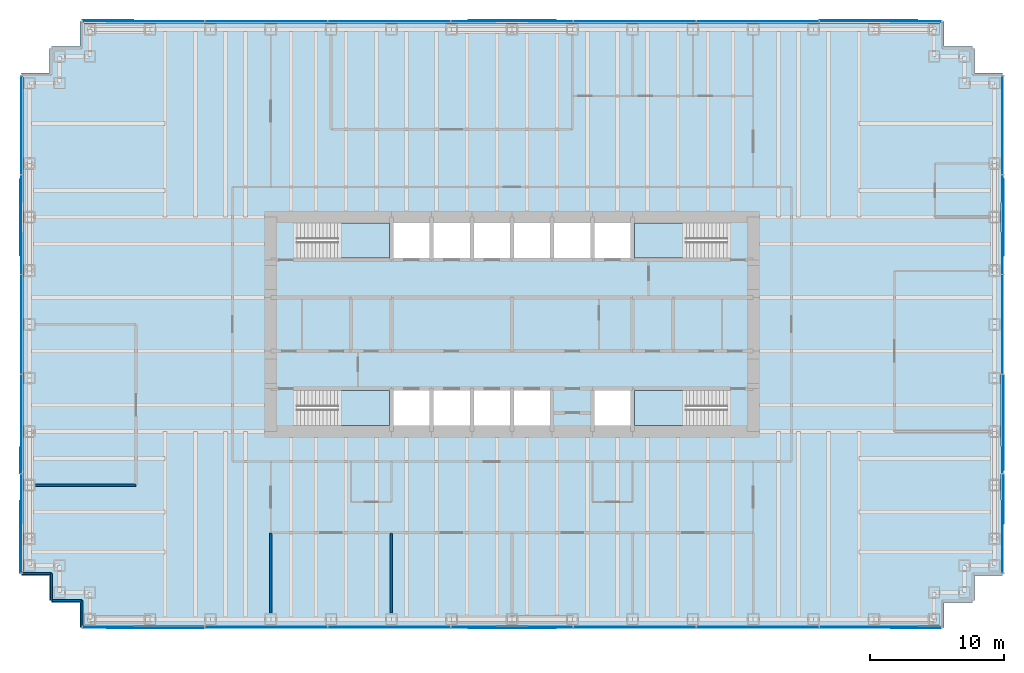
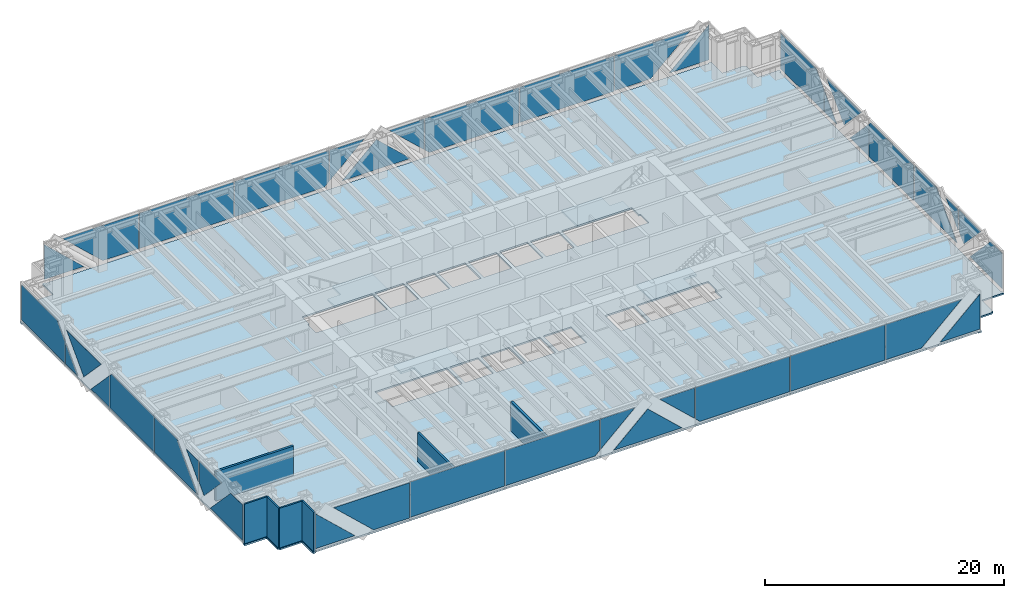
# One storey, part 10 of 15: 40 plates, 7 walls, 5 slabs, 8 elements without a shape of their own.
"""IFC4 building model written with IfcOpenShell, lengths in metres."""

from ifc_helpers import new_model, si_unit, direction, frame, frame_2d, origin, origin_2d, place, context, subcontext, project, spatial, polyline, rectangle, outline, extrude, material, layer, layer_set, type_object, element, aggregate, save


model = new_model("IFC4")

# Units and contexts
model_context = context("Model", 3, precision=1e-05, world=origin(), true_north=direction((0.0, 1.0)))
body_context = subcontext(model_context, "Body", "Model", "MODEL_VIEW")
ifc_project = project(units=[si_unit("LENGTHUNIT", "METRE"), si_unit("AREAUNIT", "SQUARE_METRE"), si_unit("VOLUMEUNIT", "CUBIC_METRE"), si_unit("PLANEANGLEUNIT", "RADIAN"), si_unit("MASSUNIT", "GRAM", prefix="KILO")], contexts=[model_context])

# Site, building, storey
site_placement = place(None, origin())
site = spatial("IfcSite", under=ifc_project, at=site_placement, CompositionType="ELEMENT")
building_placement = place(site_placement, origin())
building = spatial("IfcBuilding", under=site, at=building_placement, Name="Rheinbord Bourse Tower", CompositionType="ELEMENT")
storey_placement = place(building_placement, frame((0.0, 0.0, 150.89990234375)))
storey = spatial("IfcBuildingStorey", under=building, at=storey_placement, Name="L33", CompositionType="ELEMENT", Elevation=150.89990234375)

# Slab
ifc_material_1 = material(Name="Concrete C30/37", Category="concrete")
ifc_layer_1 = layer(ifc_material_1, 0.159912109375)
ifc_layer_set_1 = layer_set([ifc_layer_1], Name="COMPOSITE FLOOR SLAB 160")
slab_type_1 = type_object("IfcSlabType", Name="COMPOSITE FLOOR SLAB 160", PredefinedType="FLOOR", material=ifc_layer_set_1)
slab_1_placement = place(storey_placement, frame((0.0, 0.0, -0.159912109375)))
element("IfcSlab", 1, at=slab_1_placement, inside=storey, type_object=slab_type_1, Name="Floor slab L33", PredefinedType="FLOOR", context=body_context, shape_type="SweptSolid", body=[
    extrude(outline(polyline([(1.64990234375, 3.39990234375), (1.5, 3.39990234375), (1.5, 5.25), (-0.60009765625, 5.25), (-0.60009765625, 5.550048828125), (-0.5, 5.550048828125), (-0.5, 42.449951171875), (-0.60009765625, 42.449951171875), (-0.60009765625, 42.75), (1.5, 42.75), (1.5, 44.60009765625), (1.64990234375, 44.60009765625), (1.64990234375, 44.75), (3.75, 44.75), (3.75, 46.60009765625), (4.050048828125, 46.60009765625), (4.050048828125, 46.5), (67.949951171875, 46.5), (67.949951171875, 46.60009765625), (68.25, 46.60009765625), (68.25, 44.75), (70.35009765625, 44.75), (70.35009765625, 44.60009765625), (70.5, 44.60009765625), (70.5, 42.75), (72.60009765625, 42.75), (72.60009765625, 42.449951171875), (72.5, 42.449951171875), (72.5, 5.550048828125), (72.60009765625, 5.550048828125), (72.60009765625, 5.25), (70.5, 5.25), (70.5, 3.39990234375), (70.35009765625, 3.39990234375), (70.35009765625, 3.25), (68.25, 3.25), (68.25, 1.39990234375), (67.949951171875, 1.39990234375), (67.949951171875, 1.5), (4.050048828125, 1.5), (4.050048828125, 1.39990234375), (3.75, 1.39990234375), (3.75, 3.25), (1.64990234375, 3.25), (1.64990234375, 3.39990234375)]), holes=[polyline([(19.949951171875, 19.050048828125), (26.85009765625, 19.050048828125), (26.85009765625, 16.449951171875), (20.10009765625, 16.449951171875), (20.10009765625, 17.64990234375), (19.949951171875, 17.64990234375), (19.949951171875, 19.050048828125)]), polyline([(26.85009765625, 31.550048828125), (26.85009765625, 28.949951171875), (19.949951171875, 28.949951171875), (19.949951171875, 30.35009765625), (20.10009765625, 30.35009765625), (20.10009765625, 31.550048828125), (26.85009765625, 31.550048828125)]), polyline([(45.14990234375, 16.449951171875), (45.14990234375, 19.050048828125), (52.050048828125, 19.050048828125), (52.050048828125, 17.64990234375), (51.89990234375, 17.64990234375), (51.89990234375, 16.449951171875), (45.14990234375, 16.449951171875)]), polyline([(52.050048828125, 28.949951171875), (45.14990234375, 28.949951171875), (45.14990234375, 31.550048828125), (51.89990234375, 31.550048828125), (51.89990234375, 30.35009765625), (52.050048828125, 30.35009765625), (52.050048828125, 28.949951171875)]), polyline([(27.14990234375, 16.449951171875), (27.14990234375, 19.050048828125), (29.85009765625, 19.050048828125), (29.85009765625, 16.449951171875), (27.14990234375, 16.449951171875)]), polyline([(27.14990234375, 28.949951171875), (27.14990234375, 31.550048828125), (29.85009765625, 31.550048828125), (29.85009765625, 28.949951171875), (27.14990234375, 28.949951171875)]), polyline([(30.14990234375, 16.449951171875), (30.14990234375, 19.050048828125), (32.85009765625, 19.050048828125), (32.85009765625, 16.449951171875), (30.14990234375, 16.449951171875)]), polyline([(30.14990234375, 28.949951171875), (30.14990234375, 31.550048828125), (32.85009765625, 31.550048828125), (32.85009765625, 28.949951171875), (30.14990234375, 28.949951171875)]), polyline([(33.14990234375, 16.449951171875), (33.14990234375, 19.050048828125), (35.85009765625, 19.050048828125), (35.85009765625, 16.449951171875), (33.14990234375, 16.449951171875)]), polyline([(33.14990234375, 28.949951171875), (33.14990234375, 31.550048828125), (35.85009765625, 31.550048828125), (35.85009765625, 28.949951171875), (33.14990234375, 28.949951171875)]), polyline([(36.14990234375, 16.449951171875), (36.14990234375, 19.050048828125), (38.85009765625, 19.050048828125), (38.85009765625, 16.449951171875), (36.14990234375, 16.449951171875)]), polyline([(36.14990234375, 28.949951171875), (36.14990234375, 31.550048828125), (38.85009765625, 31.550048828125), (38.85009765625, 28.949951171875), (36.14990234375, 28.949951171875)]), polyline([(39.14990234375, 28.949951171875), (39.14990234375, 31.550048828125), (41.85009765625, 31.550048828125), (41.85009765625, 28.949951171875), (39.14990234375, 28.949951171875)]), polyline([(42.14990234375, 16.449951171875), (42.14990234375, 19.050048828125), (44.85009765625, 19.050048828125), (44.85009765625, 16.449951171875), (42.14990234375, 16.449951171875)]), polyline([(42.14990234375, 28.949951171875), (42.14990234375, 31.550048828125), (44.85009765625, 31.550048828125), (44.85009765625, 28.949951171875), (42.14990234375, 28.949951171875)])]), origin(), (0.0, 0.0, 1.0), 0.159912109375),
])

# Curtain wall, plates
ifc_material_2 = material(Name="Dark glass and black aluminium", Category="aluminium")
curtain_wall_type = type_object("IfcCurtainWallType", Name="CW2 DARK GLASS CURTAIN WALL", PredefinedType="USERDEFINED", material=ifc_material_2)
curtain_wall_1_placement = place(storey_placement, origin())
curtain_wall_1 = element("IfcCurtainWall", 2, at=curtain_wall_1_placement, inside=storey, type_object=curtain_wall_type, Name="Curtain wall CW2 S L33", ObjectType="UNITISED CURTAIN WALL", PredefinedType="USERDEFINED")
ifc_material_3 = material(Name="Dark tinted triple insulating glass", Category="glass")
ifc_layer_2 = layer(ifc_material_3, 0.050048828125)
ifc_layer_set_2 = layer_set([ifc_layer_2], Name="CW2 DARK GLASS PANEL")
plate_type = type_object("IfcPlateType", Name="CW2 DARK GLASS PANEL", PredefinedType="CURTAIN_PANEL", material=ifc_layer_set_2)
plate_1_placement = place(storey_placement, frame((17.6572265625, 1.39990234375, 0.300048828125), z_axis=(0.0, 0.0, 1.0), x_axis=(1.0, 0.0, 0.0)))
plate_1 = element("IfcPlate", 3, at=plate_1_placement, type_object=plate_type, Name="CW2 panel 2.1", PredefinedType="CURTAIN_PANEL", context=body_context, shape_type="SweptSolid", body=[
    extrude(rectangle(XDim=9.101318359375, YDim=0.050048828125, at=origin_2d()), origin(), (0.0, 0.0, 1.0), 3.60009765625),
])
plate_2_placement = place(storey_placement, frame((54.3427734375, 1.39990234375, 0.300048828125), z_axis=(0.0, 0.0, 1.0), x_axis=(1.0, 0.0, 0.0)))
plate_2 = element("IfcPlate", 4, at=plate_2_placement, type_object=plate_type, Name="CW2 panel 6.1", PredefinedType="CURTAIN_PANEL", context=body_context, shape_type="SweptSolid", body=[
    extrude(rectangle(XDim=9.101318359375, YDim=0.050048828125, at=origin_2d()), origin(), (0.0, 0.0, 1.0), 3.60009765625),
])
plate_3_placement = place(storey_placement, frame((3.969970703125, 1.375, 0.300048828125), z_axis=(0.0, 1.0, 0.0), x_axis=(0.0, 0.0, 1.0)))
plate_3 = element("IfcPlate", 5, at=plate_3_placement, type_object=plate_type, Name="CW2 glass facet 1", PredefinedType="CURTAIN_PANEL", context=body_context, shape_type="SweptSolid", body=[
    extrude(outline(polyline([(0.0, 0.0), (3.567138671875, 0.0), (0.0, 3.822021484375), (0.0, 0.0)])), origin(), (0.0, 0.0, 1.0), 0.050048828125),
])
plate_4_placement = place(storey_placement, frame((13.035888671875, 1.31982421875, 3.900146484375), z_axis=(0.0, 1.0, 0.0), x_axis=(0.0, 0.0, -1.0)))
plate_4 = element("IfcPlate", 6, at=plate_4_placement, type_object=plate_type, Name="CW2 glass facet 2", PredefinedType="CURTAIN_PANEL", context=body_context, shape_type="SweptSolid", body=[
    extrude(outline(polyline([(0.0, 0.0), (3.60009765625, 0.0), (3.60009765625, 3.470947265625), (0.0, 7.327880859375), (0.0, 0.0)])), origin(), (0.0, 0.0, 1.0), 0.050048828125),
])
plate_5_placement = place(storey_placement, frame((22.278076171875, 1.375, 0.300048828125), z_axis=(0.0, 1.0, 0.0), x_axis=(0.0, 0.0, 1.0)))
plate_5 = element("IfcPlate", 7, at=plate_5_placement, type_object=plate_type, Name="CW2 glass facet 1", PredefinedType="CURTAIN_PANEL", context=body_context, shape_type="SweptSolid", body=[
    extrude(outline(polyline([(0.0, 0.0), (3.60009765625, 0.0), (3.60009765625, 9.100830078125), (0.4150390625, 9.100830078125), (0.0, 8.656982421875), (0.0, 0.0)])), origin(), (0.0, 0.0, 1.0), 0.050048828125),
])
plate_6_placement = place(storey_placement, frame((31.448974609375, 1.375, 3.900146484375), z_axis=(0.0, 1.0, 0.0), x_axis=(1.0, 0.0, 0.0)))
plate_6 = element("IfcPlate", 8, at=plate_6_placement, type_object=plate_type, Name="CW2 glass facet 1", PredefinedType="CURTAIN_PANEL", context=body_context, shape_type="SweptSolid", body=[
    extrude(outline(polyline([(0.0, 0.0), (3.343017578125, 0.0), (0.0, 3.1201171875), (0.0, 0.0)])), origin(), (0.0, 0.0, 1.0), 0.050048828125),
])
plate_7_placement = place(storey_placement, frame((32.7080078125, 1.31982421875, 0.300048828125), z_axis=(0.0, 1.0, 0.0), x_axis=(0.731111160705, 0.0, 0.682258360661)))
plate_7 = element("IfcPlate", 9, at=plate_7_placement, type_object=plate_type, Name="CW2 glass facet 2", PredefinedType="CURTAIN_PANEL", context=body_context, shape_type="SweptSolid", body=[
    extrude(outline(polyline([(0.0, 0.0), (4.502685546875, 0.0), (4.813720703125, 4.491943359375), (0.0, 0.0)])), origin(), (0.0, 0.0, 1.0), 0.050048828125),
])
plate_8_placement = place(storey_placement, frame((40.551025390625, 1.375, 3.900146484375), z_axis=(0.0, 1.0, 0.0), x_axis=(0.0, 0.0, -1.0)))
plate_8 = element("IfcPlate", 10, at=plate_8_placement, type_object=plate_type, Name="CW2 glass facet 3", PredefinedType="CURTAIN_PANEL", context=body_context, shape_type="SweptSolid", body=[
    extrude(outline(polyline([(0.0, 0.0), (3.1201171875, 0.0), (0.0, 3.343017578125), (0.0, 0.0)])), origin(), (0.0, 0.0, 1.0), 0.050048828125),
])
plate_9_placement = place(storey_placement, frame((40.62109375, 1.375, 3.900146484375), z_axis=(0.0, 1.0, 0.0), x_axis=(1.0, 0.0, 0.0)))
plate_9 = element("IfcPlate", 11, at=plate_9_placement, type_object=plate_type, Name="CW2 glass facet 1", PredefinedType="CURTAIN_PANEL", context=body_context, shape_type="SweptSolid", body=[
    extrude(outline(polyline([(0.0, 0.0), (9.100830078125, 0.0), (9.100830078125, 3.60009765625), (0.44384765625, 3.60009765625), (0.0, 3.18505859375), (0.0, 0.0)])), origin(), (0.0, 0.0, 1.0), 0.050048828125),
])
plate_10_placement = place(storey_placement, frame((58.964111328125, 1.375, 0.300048828125), z_axis=(0.0, 1.0, 0.0), x_axis=(0.0, 0.0, 1.0)))
plate_10 = element("IfcPlate", 12, at=plate_10_placement, type_object=plate_type, Name="CW2 glass facet 1", PredefinedType="CURTAIN_PANEL", context=body_context, shape_type="SweptSolid", body=[
    extrude(outline(polyline([(0.0, 0.0), (3.60009765625, 0.0), (3.60009765625, 7.327880859375), (0.0, 3.470947265625), (0.0, 0.0)])), origin(), (0.0, 0.0, 1.0), 0.050048828125),
])
plate_11_placement = place(storey_placement, frame((68.030029296875, 1.31982421875, 0.300048828125), z_axis=(0.0, 1.0, 0.0), x_axis=(-1.0, 0.0, 0.0)))
plate_11 = element("IfcPlate", 13, at=plate_11_placement, type_object=plate_type, Name="CW2 glass facet 2", PredefinedType="CURTAIN_PANEL", context=body_context, shape_type="SweptSolid", body=[
    extrude(outline(polyline([(0.0, 0.0), (3.822021484375, 0.0), (0.0, 3.567138671875), (0.0, 0.0)])), origin(), (0.0, 0.0, 1.0), 0.050048828125),
])
aggregate(curtain_wall_1, [plate_1, plate_2, plate_3, plate_4, plate_5, plate_6, plate_7, plate_8, plate_9, plate_10, plate_11])

curtain_wall_2_placement = place(storey_placement, origin())
curtain_wall_2 = element("IfcCurtainWall", 14, at=curtain_wall_2_placement, inside=storey, type_object=curtain_wall_type, Name="Curtain wall CW2 E L33", ObjectType="UNITISED CURTAIN WALL", PredefinedType="USERDEFINED")
plate_12_placement = place(storey_placement, frame((72.625, 5.469970703125, 0.300048828125), z_axis=(-1.0, 0.0, 0.0), x_axis=(0.0, 0.0, 1.0)))
plate_12 = element("IfcPlate", 15, at=plate_12_placement, type_object=plate_type, Name="CW2 glass facet 1", PredefinedType="CURTAIN_PANEL", context=body_context, shape_type="SweptSolid", body=[
    extrude(outline(polyline([(0.0, 0.0), (3.60009765625, 0.0), (3.60009765625, 1.97998046875), (0.0, 5.408935546875), (0.0, 0.0)])), origin(), (0.0, 0.0, 1.0), 0.050048828125),
])
plate_13_placement = place(storey_placement, frame((72.68017578125, 12.804931640625, 3.900146484375), z_axis=(-1.0, 0.0, 0.0), x_axis=(0.0, 0.0, -1.0)))
plate_13 = element("IfcPlate", 16, at=plate_13_placement, type_object=plate_type, Name="CW2 glass facet 2", PredefinedType="CURTAIN_PANEL", context=body_context, shape_type="SweptSolid", body=[
    extrude(outline(polyline([(0.0, 0.0), (2.177001953125, 0.0), (3.02294921875, 0.804931640625), (0.0, 3.683837890625), (0.0, 0.0)])), origin(), (0.0, 0.0, 1.0), 0.050048828125),
])
plate_14_placement = place(storey_placement, frame((72.625, 12.875, 3.900146484375), z_axis=(-1.0, 0.0, 0.0), x_axis=(0.0, 1.0, 0.0)))
plate_14 = element("IfcPlate", 17, at=plate_14_placement, type_object=plate_type, Name="CW2 glass facet 1", PredefinedType="CURTAIN_PANEL", context=body_context, shape_type="SweptSolid", body=[
    extrude(outline(polyline([(0.0, 0.0), (2.00390625, 0.0), (0.0, 2.10400390625), (0.0, 0.0)])), origin(), (0.0, 0.0, 1.0), 0.050048828125),
])
plate_15_placement = place(storey_placement, frame((72.68017578125, 20.2451171875, 3.900146484375), z_axis=(-1.0, 0.0, 0.0), x_axis=(0.0, 0.0, -1.0)))
plate_15 = element("IfcPlate", 18, at=plate_15_placement, type_object=plate_type, Name="CW2 glass facet 2", PredefinedType="CURTAIN_PANEL", context=body_context, shape_type="SweptSolid", body=[
    extrude(outline(polyline([(0.0, 0.0), (3.60009765625, 0.0), (3.60009765625, 7.1240234375), (0.0, 3.695068359375), (0.0, 0.0)])), origin(), (0.0, 0.0, 1.0), 0.050048828125),
])
plate_16_placement = place(storey_placement, frame((72.625, 27.68505859375, 0.300048828125), z_axis=(-1.0, 0.0, 0.0), x_axis=(0.0, -1.0, 0.0)))
plate_16 = element("IfcPlate", 19, at=plate_16_placement, type_object=plate_type, Name="CW2 glass facet 1", PredefinedType="CURTAIN_PANEL", context=body_context, shape_type="SweptSolid", body=[
    extrude(outline(polyline([(0.0, 0.0), (7.3701171875, 0.0), (7.3701171875, 3.60009765625), (0.235107421875, 3.60009765625), (0.0, 3.35302734375), (0.0, 0.0)])), origin(), (0.0, 0.0, 1.0), 0.050048828125),
])
plate_17_placement = place(storey_placement, frame((72.625, 27.7548828125, 0.300048828125), z_axis=(-1.0, 0.0, 0.0), x_axis=(0.0, 0.0, 1.0)))
plate_17 = element("IfcPlate", 20, at=plate_17_placement, type_object=plate_type, Name="CW2 glass facet 1", PredefinedType="CURTAIN_PANEL", context=body_context, shape_type="SweptSolid", body=[
    extrude(outline(polyline([(0.0, 0.0), (3.280029296875, 0.0), (0.0, 3.1240234375), (0.0, 0.0)])), origin(), (0.0, 0.0, 1.0), 0.050048828125),
])
plate_18_placement = place(storey_placement, frame((72.68017578125, 34.87890625, 3.900146484375), z_axis=(-1.0, 0.0, 0.0), x_axis=(0.0, -0.68964348943, -0.724149057506)))
plate_18 = element("IfcPlate", 21, at=plate_18_placement, type_object=plate_type, Name="CW2 glass facet 2", PredefinedType="CURTAIN_PANEL", context=body_context, shape_type="SweptSolid", body=[
    extrude(outline(polyline([(0.0, 0.0), (4.174560546875, 0.0), (3.970947265625, 4.16943359375), (0.0, 0.0)])), origin(), (0.0, 0.0, 1.0), 0.050048828125),
])
plate_19_placement = place(storey_placement, frame((72.625, 35.125, 0.300048828125), z_axis=(-1.0, 0.0, 0.0), x_axis=(0.0, -1.0, 0.0)))
plate_19 = element("IfcPlate", 22, at=plate_19_placement, type_object=plate_type, Name="CW2 glass facet 3", PredefinedType="CURTAIN_PANEL", context=body_context, shape_type="SweptSolid", body=[
    extrude(outline(polyline([(0.0, 0.0), (2.00390625, 0.0), (0.0, 2.10400390625), (0.0, 0.0)])), origin(), (0.0, 0.0, 1.0), 0.050048828125),
])
plate_20_placement = place(storey_placement, frame((72.625, 42.530029296875, 3.900146484375), z_axis=(-1.0, 0.0, 0.0), x_axis=(0.0, 0.0, -1.0)))
plate_20 = element("IfcPlate", 23, at=plate_20_placement, type_object=plate_type, Name="CW2 glass facet 1", PredefinedType="CURTAIN_PANEL", context=body_context, shape_type="SweptSolid", body=[
    extrude(outline(polyline([(0.0, 0.0), (3.60009765625, 0.0), (3.60009765625, 7.3349609375), (1.423095703125, 7.3349609375), (0.0, 5.97998046875), (0.0, 0.0)])), origin(), (0.0, 0.0, 1.0), 0.050048828125),
])
aggregate(curtain_wall_2, [plate_12, plate_13, plate_14, plate_15, plate_16, plate_17, plate_18, plate_19, plate_20])

curtain_wall_3_placement = place(storey_placement, origin())
curtain_wall_3 = element("IfcCurtainWall", 24, at=curtain_wall_3_placement, inside=storey, type_object=curtain_wall_type, Name="Curtain wall CW2 N L33", ObjectType="UNITISED CURTAIN WALL", PredefinedType="USERDEFINED")
plate_21_placement = place(storey_placement, frame((54.3427734375, 46.60009765625, 0.300048828125), z_axis=(0.0, 0.0, 1.0), x_axis=(-1.0, 0.0, 0.0)))
plate_21 = element("IfcPlate", 25, at=plate_21_placement, type_object=plate_type, Name="CW2 panel 2.1", PredefinedType="CURTAIN_PANEL", context=body_context, shape_type="SweptSolid", body=[
    extrude(rectangle(XDim=9.101318359375, YDim=0.050048828125, at=origin_2d()), origin(), (0.0, 0.0, 1.0), 3.60009765625),
])
plate_22_placement = place(storey_placement, frame((17.6572265625, 46.60009765625, 0.300048828125), z_axis=(0.0, 0.0, 1.0), x_axis=(-1.0, 0.0, 0.0)))
plate_22 = element("IfcPlate", 26, at=plate_22_placement, type_object=plate_type, Name="CW2 panel 6.1", PredefinedType="CURTAIN_PANEL", context=body_context, shape_type="SweptSolid", body=[
    extrude(rectangle(XDim=9.101318359375, YDim=0.050048828125, at=origin_2d()), origin(), (0.0, 0.0, 1.0), 3.60009765625),
])
plate_23_placement = place(storey_placement, frame((68.030029296875, 46.625, 0.300048828125), z_axis=(0.0, -1.0, 0.0), x_axis=(0.0, 0.0, 1.0)))
plate_23 = element("IfcPlate", 27, at=plate_23_placement, type_object=plate_type, Name="CW2 glass facet 1", PredefinedType="CURTAIN_PANEL", context=body_context, shape_type="SweptSolid", body=[
    extrude(outline(polyline([(0.0, 0.0), (3.567138671875, 0.0), (0.0, 3.822021484375), (0.0, 0.0)])), origin(), (0.0, 0.0, 1.0), 0.050048828125),
])
plate_24_placement = place(storey_placement, frame((58.964111328125, 46.68017578125, 3.900146484375), z_axis=(0.0, -1.0, 0.0), x_axis=(0.0, 0.0, -1.0)))
plate_24 = element("IfcPlate", 28, at=plate_24_placement, type_object=plate_type, Name="CW2 glass facet 2", PredefinedType="CURTAIN_PANEL", context=body_context, shape_type="SweptSolid", body=[
    extrude(outline(polyline([(0.0, 0.0), (3.60009765625, 0.0), (3.60009765625, 3.470947265625), (0.0, 7.327880859375), (0.0, 0.0)])), origin(), (0.0, 0.0, 1.0), 0.050048828125),
])
plate_25_placement = place(storey_placement, frame((49.721923828125, 46.625, 0.300048828125), z_axis=(0.0, -1.0, 0.0), x_axis=(0.0, 0.0, 1.0)))
plate_25 = element("IfcPlate", 29, at=plate_25_placement, type_object=plate_type, Name="CW2 glass facet 1", PredefinedType="CURTAIN_PANEL", context=body_context, shape_type="SweptSolid", body=[
    extrude(outline(polyline([(0.0, 0.0), (3.60009765625, 0.0), (3.60009765625, 9.100830078125), (0.4150390625, 9.100830078125), (0.0, 8.656982421875), (0.0, 0.0)])), origin(), (0.0, 0.0, 1.0), 0.050048828125),
])
plate_26_placement = place(storey_placement, frame((40.551025390625, 46.625, 3.900146484375), z_axis=(0.0, -1.0, 0.0), x_axis=(-1.0, 0.0, 0.0)))
plate_26 = element("IfcPlate", 30, at=plate_26_placement, type_object=plate_type, Name="CW2 glass facet 1", PredefinedType="CURTAIN_PANEL", context=body_context, shape_type="SweptSolid", body=[
    extrude(outline(polyline([(0.0, 0.0), (3.343017578125, 0.0), (0.0, 3.1201171875), (0.0, 0.0)])), origin(), (0.0, 0.0, 1.0), 0.050048828125),
])
plate_27_placement = place(storey_placement, frame((39.2919921875, 46.68017578125, 0.300048828125), z_axis=(0.0, -1.0, 0.0), x_axis=(-0.731111160705, 0.0, 0.682258360661)))
plate_27 = element("IfcPlate", 31, at=plate_27_placement, type_object=plate_type, Name="CW2 glass facet 2", PredefinedType="CURTAIN_PANEL", context=body_context, shape_type="SweptSolid", body=[
    extrude(outline(polyline([(0.0, 0.0), (4.502685546875, 0.0), (4.813720703125, 4.491943359375), (0.0, 0.0)])), origin(), (0.0, 0.0, 1.0), 0.050048828125),
])
plate_28_placement = place(storey_placement, frame((31.448974609375, 46.625, 3.900146484375), z_axis=(0.0, -1.0, 0.0), x_axis=(0.0, 0.0, -1.0)))
plate_28 = element("IfcPlate", 32, at=plate_28_placement, type_object=plate_type, Name="CW2 glass facet 3", PredefinedType="CURTAIN_PANEL", context=body_context, shape_type="SweptSolid", body=[
    extrude(outline(polyline([(0.0, 0.0), (3.1201171875, 0.0), (0.0, 3.343017578125), (0.0, 0.0)])), origin(), (0.0, 0.0, 1.0), 0.050048828125),
])
plate_29_placement = place(storey_placement, frame((31.37890625, 46.625, 3.900146484375), z_axis=(0.0, -1.0, 0.0), x_axis=(-1.0, 0.0, 0.0)))
plate_29 = element("IfcPlate", 33, at=plate_29_placement, type_object=plate_type, Name="CW2 glass facet 1", PredefinedType="CURTAIN_PANEL", context=body_context, shape_type="SweptSolid", body=[
    extrude(outline(polyline([(0.0, 0.0), (9.100830078125, 0.0), (9.100830078125, 3.60009765625), (0.44384765625, 3.60009765625), (0.0, 3.18505859375), (0.0, 0.0)])), origin(), (0.0, 0.0, 1.0), 0.050048828125),
])
plate_30_placement = place(storey_placement, frame((13.035888671875, 46.625, 0.300048828125), z_axis=(0.0, -1.0, 0.0), x_axis=(0.0, 0.0, 1.0)))
plate_30 = element("IfcPlate", 34, at=plate_30_placement, type_object=plate_type, Name="CW2 glass facet 1", PredefinedType="CURTAIN_PANEL", context=body_context, shape_type="SweptSolid", body=[
    extrude(outline(polyline([(0.0, 0.0), (3.60009765625, 0.0), (3.60009765625, 7.327880859375), (0.0, 3.470947265625), (0.0, 0.0)])), origin(), (0.0, 0.0, 1.0), 0.050048828125),
])
plate_31_placement = place(storey_placement, frame((3.969970703125, 46.68017578125, 0.300048828125), z_axis=(0.0, -1.0, 0.0), x_axis=(1.0, 0.0, 0.0)))
plate_31 = element("IfcPlate", 35, at=plate_31_placement, type_object=plate_type, Name="CW2 glass facet 2", PredefinedType="CURTAIN_PANEL", context=body_context, shape_type="SweptSolid", body=[
    extrude(outline(polyline([(0.0, 0.0), (3.822021484375, 0.0), (0.0, 3.567138671875), (0.0, 0.0)])), origin(), (0.0, 0.0, 1.0), 0.050048828125),
])
aggregate(curtain_wall_3, [plate_21, plate_22, plate_23, plate_24, plate_25, plate_26, plate_27, plate_28, plate_29, plate_30, plate_31])

curtain_wall_4_placement = place(storey_placement, origin())
curtain_wall_4 = element("IfcCurtainWall", 36, at=curtain_wall_4_placement, inside=storey, type_object=curtain_wall_type, Name="Curtain wall CW2 W L33", ObjectType="UNITISED CURTAIN WALL", PredefinedType="USERDEFINED")
plate_32_placement = place(storey_placement, frame((-0.625, 35.195068359375, 0.300048828125), z_axis=(1.0, 0.0, 0.0), x_axis=(0.0, 1.0, 0.0)))
plate_32 = element("IfcPlate", 37, at=plate_32_placement, type_object=plate_type, Name="CW2 glass facet 1", PredefinedType="CURTAIN_PANEL", context=body_context, shape_type="SweptSolid", body=[
    extrude(outline(polyline([(0.0, 0.0), (7.3349609375, 0.0), (7.3349609375, 3.60009765625), (1.35498046875, 3.60009765625), (0.0, 2.177001953125), (0.0, 0.0)])), origin(), (0.0, 0.0, 1.0), 0.050048828125),
])
plate_33_placement = place(storey_placement, frame((-0.625, 35.125, 0.300048828125), z_axis=(1.0, 0.0, 0.0), x_axis=(0.0, 0.0, 1.0)))
plate_33 = element("IfcPlate", 38, at=plate_33_placement, type_object=plate_type, Name="CW2 glass facet 1", PredefinedType="CURTAIN_PANEL", context=body_context, shape_type="SweptSolid", body=[
    extrude(outline(polyline([(0.0, 0.0), (2.10400390625, 0.0), (0.0, 2.00390625), (0.0, 0.0)])), origin(), (0.0, 0.0, 1.0), 0.050048828125),
])
plate_34_placement = place(storey_placement, frame((-0.68017578125, 29.12109375, 3.900146484375), z_axis=(1.0, 0.0, 0.0), x_axis=(0.0, 0.68964348943, -0.724149057506)))
plate_34 = element("IfcPlate", 39, at=plate_34_placement, type_object=plate_type, Name="CW2 glass facet 2", PredefinedType="CURTAIN_PANEL", context=body_context, shape_type="SweptSolid", body=[
    extrude(outline(polyline([(0.0, 0.0), (4.174560546875, 0.0), (3.970947265625, 4.16943359375), (0.0, 0.0)])), origin(), (0.0, 0.0, 1.0), 0.050048828125),
])
plate_35_placement = place(storey_placement, frame((-0.625, 27.7548828125, 0.300048828125), z_axis=(1.0, 0.0, 0.0), x_axis=(0.0, 1.0, 0.0)))
plate_35 = element("IfcPlate", 40, at=plate_35_placement, type_object=plate_type, Name="CW2 glass facet 3", PredefinedType="CURTAIN_PANEL", context=body_context, shape_type="SweptSolid", body=[
    extrude(outline(polyline([(0.0, 0.0), (3.1240234375, 0.0), (0.0, 3.280029296875), (0.0, 0.0)])), origin(), (0.0, 0.0, 1.0), 0.050048828125),
])
plate_36_placement = place(storey_placement, frame((-0.625, 20.31494140625, 3.900146484375), z_axis=(1.0, 0.0, 0.0), x_axis=(0.0, 0.0, -1.0)))
plate_36 = element("IfcPlate", 41, at=plate_36_placement, type_object=plate_type, Name="CW2 glass facet 1", PredefinedType="CURTAIN_PANEL", context=body_context, shape_type="SweptSolid", body=[
    extrude(outline(polyline([(0.0, 0.0), (3.60009765625, 0.0), (3.60009765625, 7.3701171875), (0.2470703125, 7.3701171875), (0.0, 7.135009765625), (0.0, 0.0)])), origin(), (0.0, 0.0, 1.0), 0.050048828125),
])
plate_37_placement = place(storey_placement, frame((-0.625, 20.2451171875, 0.300048828125), z_axis=(1.0, 0.0, 0.0), x_axis=(0.0, 0.0, 1.0)))
plate_37 = element("IfcPlate", 42, at=plate_37_placement, type_object=plate_type, Name="CW2 glass facet 1", PredefinedType="CURTAIN_PANEL", context=body_context, shape_type="SweptSolid", body=[
    extrude(outline(polyline([(0.0, 0.0), (3.60009765625, 0.0), (3.60009765625, 3.695068359375), (0.0, 7.1240234375), (0.0, 0.0)])), origin(), (0.0, 0.0, 1.0), 0.050048828125),
])
plate_38_placement = place(storey_placement, frame((-0.68017578125, 12.875, 3.900146484375), z_axis=(1.0, 0.0, 0.0), x_axis=(0.0, 0.0, -1.0)))
plate_38 = element("IfcPlate", 43, at=plate_38_placement, type_object=plate_type, Name="CW2 glass facet 2", PredefinedType="CURTAIN_PANEL", context=body_context, shape_type="SweptSolid", body=[
    extrude(outline(polyline([(0.0, 0.0), (2.10400390625, 0.0), (0.0, 2.00390625), (0.0, 0.0)])), origin(), (0.0, 0.0, 1.0), 0.050048828125),
])
plate_39_placement = place(storey_placement, frame((-0.625, 12.804931640625, 3.900146484375), z_axis=(1.0, 0.0, 0.0), x_axis=(0.0, -1.0, 0.0)))
plate_39 = element("IfcPlate", 44, at=plate_39_placement, type_object=plate_type, Name="CW2 glass facet 1", PredefinedType="CURTAIN_PANEL", context=body_context, shape_type="SweptSolid", body=[
    extrude(outline(polyline([(0.0, 0.0), (3.683837890625, 0.0), (0.804931640625, 3.02294921875), (0.0, 2.177001953125), (0.0, 0.0)])), origin(), (0.0, 0.0, 1.0), 0.050048828125),
])
plate_40_placement = place(storey_placement, frame((-0.68017578125, 5.469970703125, 3.900146484375), z_axis=(1.0, 0.0, 0.0), x_axis=(0.0, 0.0, -1.0)))
plate_40 = element("IfcPlate", 45, at=plate_40_placement, type_object=plate_type, Name="CW2 glass facet 2", PredefinedType="CURTAIN_PANEL", context=body_context, shape_type="SweptSolid", body=[
    extrude(outline(polyline([(0.0, 0.0), (3.60009765625, 0.0), (3.60009765625, 5.408935546875), (0.0, 1.97998046875), (0.0, 0.0)])), origin(), (0.0, 0.0, 1.0), 0.050048828125),
])
aggregate(curtain_wall_4, [plate_32, plate_33, plate_34, plate_35, plate_36, plate_37, plate_38, plate_39, plate_40])

# Stair, slab
ifc_material_4 = material(Name="Concrete C30/37", Category="concrete")
stair_type = type_object("IfcStairType", Name="CORE STAIR HALF TURN 4200", PredefinedType="HALF_TURN_STAIR", material=ifc_material_4)
stair_1_placement = place(storey_placement, origin())
stair_1 = element("IfcStair", 46, at=stair_1_placement, inside=storey, type_object=stair_type, Name="Stair ST1 L33, type CS6", PredefinedType="HALF_TURN_STAIR")
ifc_material_5 = material(Name="Concrete C30/37", Category="concrete")
ifc_layer_3 = layer(ifc_material_5, 0.199951171875)
ifc_layer_set_3 = layer_set([ifc_layer_3], Name="STAIR LANDING 200")
slab_type_2 = type_object("IfcSlabType", Name="STAIR LANDING 200", PredefinedType="LANDING", material=ifc_layer_set_3)
slab_2_placement = place(storey_placement, frame((0.0, 0.0, 1.900146484375)))
slab_2 = element("IfcSlab", 47, at=slab_2_placement, type_object=slab_type_2, Name="Half landing ST1 L33", PredefinedType="LANDING", context=body_context, shape_type="SweptSolid", body=[
    extrude(outline(polyline([(23.030029296875, 16.449951171875), (26.85009765625, 16.449951171875), (26.85009765625, 19.050048828125), (21.748046875, 19.050048828125), (21.748046875, 17.85009765625), (23.030029296875, 17.85009765625), (23.030029296875, 16.449951171875)])), origin(), (0.0, 0.0, 1.0), 0.199951171875),
])
aggregate(stair_1, [slab_2])

stair_2_placement = place(storey_placement, origin())
stair_2 = element("IfcStair", 48, at=stair_2_placement, inside=storey, type_object=stair_type, Name="Stair ST2 L33, type CS6", PredefinedType="HALF_TURN_STAIR")
slab_3_placement = place(storey_placement, frame((0.0, 0.0, 1.900146484375)))
slab_3 = element("IfcSlab", 49, at=slab_3_placement, type_object=slab_type_2, Name="Half landing ST2 L33", PredefinedType="LANDING", context=body_context, shape_type="SweptSolid", body=[
    extrude(outline(polyline([(21.748046875, 28.949951171875), (26.85009765625, 28.949951171875), (26.85009765625, 31.550048828125), (23.030029296875, 31.550048828125), (23.030029296875, 30.14990234375), (21.748046875, 30.14990234375), (21.748046875, 28.949951171875)])), origin(), (0.0, 0.0, 1.0), 0.199951171875),
])
aggregate(stair_2, [slab_3])

stair_3_placement = place(storey_placement, origin())
stair_3 = element("IfcStair", 50, at=stair_3_placement, inside=storey, type_object=stair_type, Name="Stair ST3 L33, type CS6", PredefinedType="HALF_TURN_STAIR")
slab_4_placement = place(storey_placement, frame((0.0, 0.0, 1.900146484375)))
slab_4 = element("IfcSlab", 51, at=slab_4_placement, type_object=slab_type_2, Name="Half landing ST3 L33", PredefinedType="LANDING", context=body_context, shape_type="SweptSolid", body=[
    extrude(outline(polyline([(45.14990234375, 16.449951171875), (48.969970703125, 16.449951171875), (48.969970703125, 17.85009765625), (50.251953125, 17.85009765625), (50.251953125, 19.050048828125), (45.14990234375, 19.050048828125), (45.14990234375, 16.449951171875)])), origin(), (0.0, 0.0, 1.0), 0.199951171875),
])
aggregate(stair_3, [slab_4])

stair_4_placement = place(storey_placement, origin())
stair_4 = element("IfcStair", 52, at=stair_4_placement, inside=storey, type_object=stair_type, Name="Stair ST4 L33, type CS6", PredefinedType="HALF_TURN_STAIR")
slab_5_placement = place(storey_placement, frame((0.0, 0.0, 1.900146484375)))
slab_5 = element("IfcSlab", 53, at=slab_5_placement, type_object=slab_type_2, Name="Half landing ST4 L33", PredefinedType="LANDING", context=body_context, shape_type="SweptSolid", body=[
    extrude(outline(polyline([(45.14990234375, 28.949951171875), (50.251953125, 28.949951171875), (50.251953125, 30.14990234375), (48.969970703125, 30.14990234375), (48.969970703125, 31.550048828125), (45.14990234375, 31.550048828125), (45.14990234375, 28.949951171875)])), origin(), (0.0, 0.0, 1.0), 0.199951171875),
])
aggregate(stair_4, [slab_5])

# Walls
ifc_material_6 = material(Name="Acoustic gypsum board partition", Category="gypsum board")
ifc_layer_4 = layer(ifc_material_6, 0.199951171875)
ifc_layer_set_4 = layer_set([ifc_layer_4], Name="ACOUSTIC PARTITION 200")
wall_type_1 = type_object("IfcWallType", Name="ACOUSTIC PARTITION 200", PredefinedType="PARTITIONING", material=ifc_layer_set_4)
wall_1_placement = place(storey_placement, frame((0.449951171875, 12.0, 0.0), z_axis=(0.0, 0.0, 1.0), x_axis=(1.0, 0.0, 0.0)))
element("IfcWall", 54, at=wall_1_placement, inside=storey, type_object=wall_type_1, Name="Partition L33-04", PredefinedType="PARTITIONING", context=body_context, shape_type="SweptSolid", body=[
    extrude(rectangle(XDim=7.5, YDim=0.199951171875, at=frame_2d((3.75, 0.0))), origin(), (0.0, 0.0, 1.0), 3.0),
])
for number, where, z_axis, x_axis, name in (
    (55, (18.0, 2.449951171875, 0.0), (0.0, 0.0, 1.0), (0.0, 1.0, 0.0), "Partition L33-16"),
    (56, (27.0, 2.449951171875, 0.0), (0.0, 0.0, 1.0), (0.0, 1.0, 0.0), "Partition L33-21"),
):
    element("IfcWall", number, at=place(storey_placement, frame(where, z_axis=z_axis, x_axis=x_axis)), inside=storey, type_object=wall_type_1, Name=name, PredefinedType="PARTITIONING", context=body_context, shape_type="SweptSolid", body=[
        extrude(rectangle(XDim=6.0, YDim=0.199951171875, at=frame_2d((3.0, 0.0))), origin(), (0.0, 0.0, 1.0), 3.0),
    ])
ifc_material_7 = material(Name="Black metal rainscreen panel", Category="aluminium")
ifc_layer_5 = layer(ifc_material_7, 0.14990234375)
ifc_layer_set_5 = layer_set([ifc_layer_5], Name="CORNER PIER CLADDING 150")
wall_type_2 = type_object("IfcWallType", Name="CORNER PIER CLADDING 150", PredefinedType="ELEMENTEDWALL", material=ifc_layer_set_5)
wall_2_placement = place(storey_placement, frame((-0.60009765625, 5.39990234375, 0.0), z_axis=(0.0, 0.0, 1.0), x_axis=(1.0, 0.0, 0.0)))
element("IfcWall", 57, at=wall_2_placement, inside=storey, type_object=wall_type_2, Name="Corner pier cladding L33 17", PredefinedType="ELEMENTEDWALL", context=body_context, shape_type="SweptSolid", body=[
    extrude(rectangle(XDim=2.25, YDim=0.14990234375, at=frame_2d((1.125, 0.0))), origin(), (0.0, 0.0, 1.0), 4.0400390625),
])
wall_3_placement = place(storey_placement, frame((1.64990234375, 5.39990234375, 0.0), z_axis=(0.0, 0.0, 1.0), x_axis=(0.0, -1.0, 0.0)))
element("IfcWall", 58, at=wall_3_placement, inside=storey, type_object=wall_type_2, Name="Corner pier cladding L33 18", PredefinedType="ELEMENTEDWALL", context=body_context, shape_type="SweptSolid", body=[
    extrude(rectangle(XDim=2.0, YDim=0.14990234375, at=frame_2d((1.0, 0.0))), origin(), (0.0, 0.0, 1.0), 4.0400390625),
])
wall_4_placement = place(storey_placement, frame((1.64990234375, 3.39990234375, 0.0), z_axis=(0.0, 0.0, 1.0), x_axis=(1.0, 0.0, 0.0)))
element("IfcWall", 59, at=wall_4_placement, inside=storey, type_object=wall_type_2, Name="Corner pier cladding L33 19", PredefinedType="ELEMENTEDWALL", context=body_context, shape_type="SweptSolid", body=[
    extrude(rectangle(XDim=2.25, YDim=0.14990234375, at=frame_2d((1.125, 0.0))), origin(), (0.0, 0.0, 1.0), 4.0400390625),
])
wall_5_placement = place(storey_placement, frame((3.89990234375, 3.39990234375, 0.0), z_axis=(0.0, 0.0, 1.0), x_axis=(0.0, -1.0, 0.0)))
element("IfcWall", 60, at=wall_5_placement, inside=storey, type_object=wall_type_2, Name="Corner pier cladding L33 20", PredefinedType="ELEMENTEDWALL", context=body_context, shape_type="SweptSolid", body=[
    extrude(rectangle(XDim=2.0, YDim=0.14990234375, at=frame_2d((1.0, 0.0))), origin(), (0.0, 0.0, 1.0), 4.0400390625),
])

save(model, "model.ifc")
